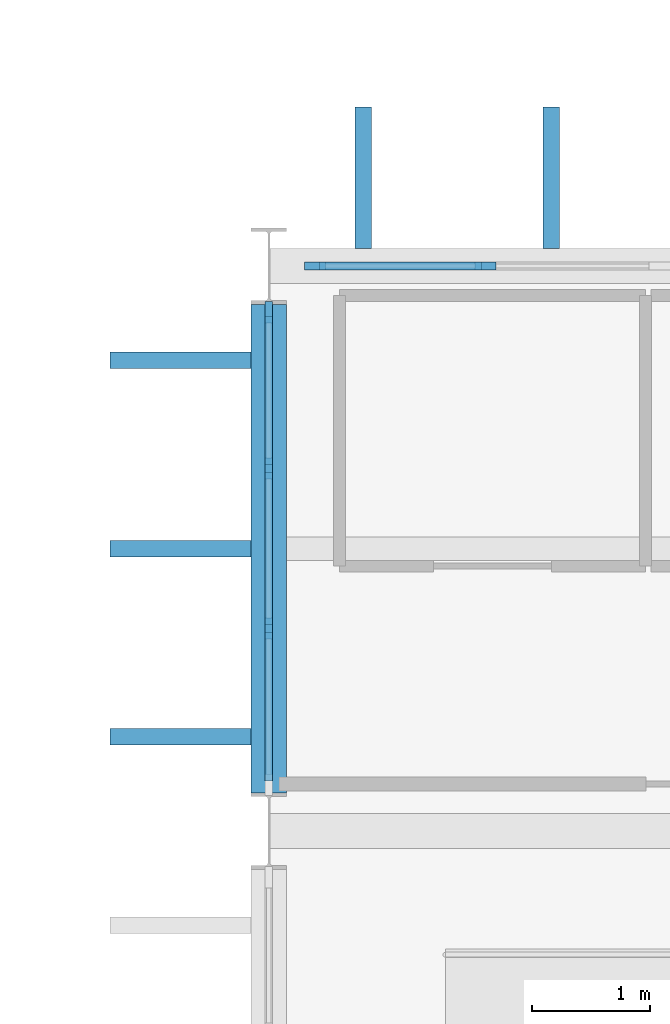
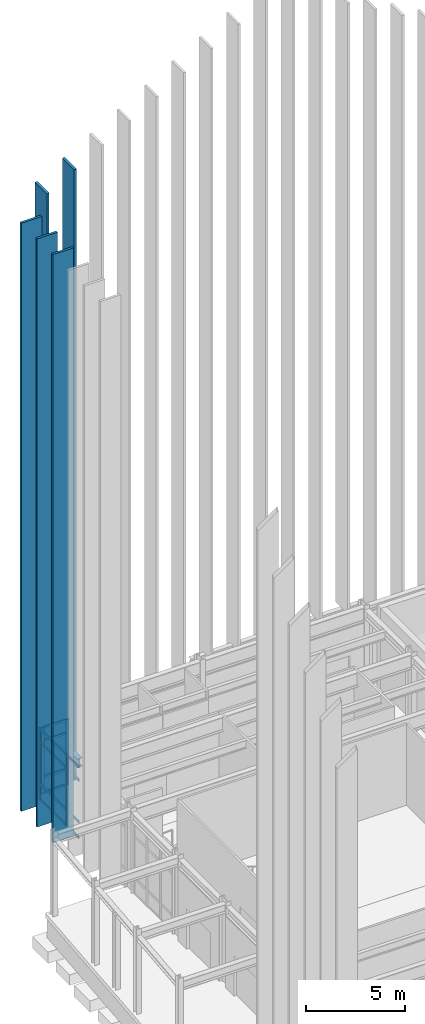
# One storey, part 48 of 109: 26 members, 1 beam, 2 elements without a shape of their own.
"""IFC4 building model written with IfcOpenShell, lengths in metres."""

from ifc_helpers import new_model, si_unit, direction, frame, origin, origin_2d, place, context, subcontext, project, spatial, rectangle, i_section, extrude, material, layer, layer_set, material_profile, profile_set, type_object, element, aggregate, save


model = new_model("IFC4")

# Units and contexts
model_context = context("Model", 3, precision=1e-05, world=origin(), true_north=direction((0.0, 1.0)))
body_context = subcontext(model_context, "Body", "Model", "MODEL_VIEW")
ifc_project = project(units=[si_unit("LENGTHUNIT", "METRE"), si_unit("AREAUNIT", "SQUARE_METRE"), si_unit("VOLUMEUNIT", "CUBIC_METRE"), si_unit("PLANEANGLEUNIT", "RADIAN"), si_unit("MASSUNIT", "GRAM", prefix="KILO")], contexts=[model_context])

# Site, building, storey
site_placement = place(None, origin())
site = spatial("IfcSite", under=ifc_project, at=site_placement, CompositionType="ELEMENT")
building_placement = place(site_placement, origin())
building = spatial("IfcBuilding", under=site, at=building_placement, Name="Nordkorset Police Headquarters", CompositionType="ELEMENT")
storey_placement = place(building_placement, origin())
storey = spatial("IfcBuildingStorey", under=building, at=storey_placement, Name="L00", CompositionType="ELEMENT", Elevation=0.0)

# Curtain wall, members
ifc_material_1 = material(Name="Aluminium alloy AW-6060", Category="aluminium")
ifc_layer_1 = layer(ifc_material_1, 0.179931640625, Name="Aluminium alloy AW-6060")
ifc_layer_set_1 = layer_set([ifc_layer_1], Name="Aluminium alloy AW-6060")
curtain_wall_type_1 = type_object("IfcCurtainWallType", Name="CW_Unit_408x444", PredefinedType="USERDEFINED", material=ifc_layer_set_1)
curtain_wall_1_placement = place(storey_placement, origin())
curtain_wall_1 = element("IfcCurtainWall", 1, at=curtain_wall_1_placement, inside=storey, type_object=curtain_wall_type_1, Name="Unitised Curtain Wall L00 V1W-6", ObjectType="UNITISED CURTAIN WALL", PredefinedType="USERDEFINED")
ifc_material_2 = material(Name="Aluminium alloy AW-6060", Category="aluminium")
ifc_material_profile_1 = material_profile(ifc_material_2, rectangle(XDim=0.06494140625, YDim=0.179931640625, at=origin_2d()), Name="ALU MULL 65x180")
ifc_profile_set_1 = profile_set([ifc_material_profile_1], Name="Aluminium alloy AW-6060")
member_type_1 = type_object("IfcMemberType", Name="CW_Mullion_65x180", PredefinedType="MULLION", material=ifc_profile_set_1)
member_1_placement = place(storey_placement, frame((0.0, 113.719970703125, 0.0), z_axis=(0.0, 0.0, 1.0), x_axis=(-1.0, 0.0, 0.0)))
member_1 = element("IfcMember", 2, at=member_1_placement, type_object=member_type_1, Name="CW-66 mullion 2", PredefinedType="MULLION", context=body_context, shape_type="SweptSolid", body=[
    extrude(rectangle(XDim=0.06494140625, YDim=0.179931640625, at=origin_2d()), origin(), (0.0, 0.0, 1.0), 4.43994140625),
])
member_2_placement = place(storey_placement, frame((0.0, 115.080078125, 0.0), z_axis=(0.0, 0.0, 1.0), x_axis=(-1.0, 0.0, 0.0)))
member_2 = element("IfcMember", 3, at=member_2_placement, type_object=member_type_1, Name="CW-66 mullion 3", PredefinedType="MULLION", context=body_context, shape_type="SweptSolid", body=[
    extrude(rectangle(XDim=0.06494140625, YDim=0.179931640625, at=origin_2d()), origin(), (0.0, 0.0, 1.0), 4.43994140625),
])
member_3_placement = place(storey_placement, frame((0.0, 116.407470703125, 0.0), z_axis=(0.0, 0.0, 1.0), x_axis=(-1.0, 0.0, 0.0)))
member_3 = element("IfcMember", 4, at=member_3_placement, type_object=member_type_1, Name="CW-66 mullion 4", PredefinedType="MULLION", context=body_context, shape_type="SweptSolid", body=[
    extrude(rectangle(XDim=0.06494140625, YDim=0.179931640625, at=origin_2d()), origin(), (0.0, 0.0, 1.0), 4.43994140625),
])

ifc_material_3 = material(Name="Aluminium alloy AW-6060", Category="aluminium")
ifc_layer_2 = layer(ifc_material_3, 0.179931640625, Name="Aluminium alloy AW-6060")
ifc_layer_set_2 = layer_set([ifc_layer_2], Name="Aluminium alloy AW-6060")
curtain_wall_type_2 = type_object("IfcCurtainWallType", Name="CW_Unit_888x408", PredefinedType="USERDEFINED", material=ifc_layer_set_2)
curtain_wall_2_placement = place(storey_placement, origin())
curtain_wall_2 = element("IfcCurtainWall", 5, at=curtain_wall_2_placement, inside=storey, type_object=curtain_wall_type_2, Name="Unitised Curtain Wall L00 V1N-0", ObjectType="UNITISED CURTAIN WALL", PredefinedType="USERDEFINED")
member_4_placement = place(storey_placement, frame((0.392578125, 116.800048828125, 0.0), z_axis=(0.0, 0.0, 1.0), x_axis=(0.0, 1.0, 0.0)))
member_4 = element("IfcMember", 6, at=member_4_placement, type_object=member_type_1, Name="CW-14 mullion 1", PredefinedType="MULLION", context=body_context, shape_type="SweptSolid", body=[
    extrude(rectangle(XDim=0.06494140625, YDim=0.179931640625, at=origin_2d()), origin(), (0.0, 0.0, 1.0), 4.080078125),
])
member_5_placement = place(storey_placement, frame((1.840087890625, 116.800048828125, 0.0), z_axis=(0.0, 0.0, 1.0), x_axis=(0.0, 1.0, 0.0)))
member_5 = element("IfcMember", 7, at=member_5_placement, type_object=member_type_1, Name="CW-14 mullion 2", PredefinedType="MULLION", context=body_context, shape_type="SweptSolid", body=[
    extrude(rectangle(XDim=0.06494140625, YDim=0.179931640625, at=origin_2d()), origin(), (0.0, 0.0, 1.0), 4.080078125),
])

# Member
ifc_material_4 = material(Name="Aluminium alloy AW-6060", Category="aluminium")
ifc_material_profile_2 = material_profile(ifc_material_4, rectangle(XDim=0.06494140625, YDim=0.139892578125, at=origin_2d()), Name="ALU TRAN 65x140")
ifc_profile_set_2 = profile_set([ifc_material_profile_2], Name="Aluminium alloy AW-6060")
member_type_2 = type_object("IfcMemberType", Name="CW_Transom_65x140", PredefinedType="USERDEFINED", material=ifc_profile_set_2)
member_6_placement = place(storey_placement, frame((0.0, 112.425048828125, 0.032470703125), z_axis=(0.0, 1.0, 0.0), x_axis=(-1.0, 0.0, 0.0)))
member_6 = element("IfcMember", 8, at=member_6_placement, type_object=member_type_2, Name="CW-66 transom 1.1", ObjectType="TRANSOM", PredefinedType="USERDEFINED", context=body_context, shape_type="SweptSolid", body=[
    extrude(rectangle(XDim=0.06494140625, YDim=0.139892578125, at=origin_2d()), origin(), (0.0, 0.0, 1.0), 1.262451171875),
])

member_7_placement = place(storey_placement, frame((0.0, 112.425048828125, 1.0), z_axis=(0.0, 1.0, 0.0), x_axis=(-1.0, 0.0, 0.0)))
member_7 = element("IfcMember", 9, at=member_7_placement, type_object=member_type_2, Name="CW-66 transom 1.2", ObjectType="TRANSOM", PredefinedType="USERDEFINED", context=body_context, shape_type="SweptSolid", body=[
    extrude(rectangle(XDim=0.06494140625, YDim=0.139892578125, at=origin_2d()), origin(), (0.0, 0.0, 1.0), 1.262451171875),
])

member_8_placement = place(storey_placement, frame((0.0, 112.425048828125, 3.590087890625), z_axis=(0.0, 1.0, 0.0), x_axis=(-1.0, 0.0, 0.0)))
member_8 = element("IfcMember", 10, at=member_8_placement, type_object=member_type_2, Name="CW-66 transom 1.3", ObjectType="TRANSOM", PredefinedType="USERDEFINED", context=body_context, shape_type="SweptSolid", body=[
    extrude(rectangle(XDim=0.06494140625, YDim=0.139892578125, at=origin_2d()), origin(), (0.0, 0.0, 1.0), 1.262451171875),
])

member_9_placement = place(storey_placement, frame((0.0, 112.425048828125, 4.407470703125), z_axis=(0.0, 1.0, 0.0), x_axis=(-1.0, 0.0, 0.0)))
member_9 = element("IfcMember", 11, at=member_9_placement, type_object=member_type_2, Name="CW-66 transom 1.4", ObjectType="TRANSOM", PredefinedType="USERDEFINED", context=body_context, shape_type="SweptSolid", body=[
    extrude(rectangle(XDim=0.06494140625, YDim=0.139892578125, at=origin_2d()), origin(), (0.0, 0.0, 1.0), 1.262451171875),
])

member_10_placement = place(storey_placement, frame((0.0, 113.75244140625, 0.032470703125), z_axis=(0.0, 1.0, 0.0), x_axis=(-1.0, 0.0, 0.0)))
member_10 = element("IfcMember", 12, at=member_10_placement, type_object=member_type_2, Name="CW-66 transom 2.1", ObjectType="TRANSOM", PredefinedType="USERDEFINED", context=body_context, shape_type="SweptSolid", body=[
    extrude(rectangle(XDim=0.06494140625, YDim=0.139892578125, at=origin_2d()), origin(), (0.0, 0.0, 1.0), 1.295166015625),
])

member_11_placement = place(storey_placement, frame((0.0, 113.75244140625, 1.0), z_axis=(0.0, 1.0, 0.0), x_axis=(-1.0, 0.0, 0.0)))
member_11 = element("IfcMember", 13, at=member_11_placement, type_object=member_type_2, Name="CW-66 transom 2.2", ObjectType="TRANSOM", PredefinedType="USERDEFINED", context=body_context, shape_type="SweptSolid", body=[
    extrude(rectangle(XDim=0.06494140625, YDim=0.139892578125, at=origin_2d()), origin(), (0.0, 0.0, 1.0), 1.295166015625),
])

member_12_placement = place(storey_placement, frame((0.0, 113.75244140625, 3.590087890625), z_axis=(0.0, 1.0, 0.0), x_axis=(-1.0, 0.0, 0.0)))
member_12 = element("IfcMember", 14, at=member_12_placement, type_object=member_type_2, Name="CW-66 transom 2.3", ObjectType="TRANSOM", PredefinedType="USERDEFINED", context=body_context, shape_type="SweptSolid", body=[
    extrude(rectangle(XDim=0.06494140625, YDim=0.139892578125, at=origin_2d()), origin(), (0.0, 0.0, 1.0), 1.295166015625),
])

member_13_placement = place(storey_placement, frame((0.0, 113.75244140625, 4.407470703125), z_axis=(0.0, 1.0, 0.0), x_axis=(-1.0, 0.0, 0.0)))
member_13 = element("IfcMember", 15, at=member_13_placement, type_object=member_type_2, Name="CW-66 transom 2.4", ObjectType="TRANSOM", PredefinedType="USERDEFINED", context=body_context, shape_type="SweptSolid", body=[
    extrude(rectangle(XDim=0.06494140625, YDim=0.139892578125, at=origin_2d()), origin(), (0.0, 0.0, 1.0), 1.295166015625),
])

member_14_placement = place(storey_placement, frame((0.0, 115.112548828125, 0.032470703125), z_axis=(0.0, 1.0, 0.0), x_axis=(-1.0, 0.0, 0.0)))
member_14 = element("IfcMember", 16, at=member_14_placement, type_object=member_type_2, Name="CW-66 transom 3.1", ObjectType="TRANSOM", PredefinedType="USERDEFINED", context=body_context, shape_type="SweptSolid", body=[
    extrude(rectangle(XDim=0.06494140625, YDim=0.139892578125, at=origin_2d()), origin(), (0.0, 0.0, 1.0), 1.262451171875),
])

member_15_placement = place(storey_placement, frame((0.0, 115.112548828125, 1.0), z_axis=(0.0, 1.0, 0.0), x_axis=(-1.0, 0.0, 0.0)))
member_15 = element("IfcMember", 17, at=member_15_placement, type_object=member_type_2, Name="CW-66 transom 3.2", ObjectType="TRANSOM", PredefinedType="USERDEFINED", context=body_context, shape_type="SweptSolid", body=[
    extrude(rectangle(XDim=0.06494140625, YDim=0.139892578125, at=origin_2d()), origin(), (0.0, 0.0, 1.0), 1.262451171875),
])

member_16_placement = place(storey_placement, frame((0.0, 115.112548828125, 3.590087890625), z_axis=(0.0, 1.0, 0.0), x_axis=(-1.0, 0.0, 0.0)))
member_16 = element("IfcMember", 18, at=member_16_placement, type_object=member_type_2, Name="CW-66 transom 3.3", ObjectType="TRANSOM", PredefinedType="USERDEFINED", context=body_context, shape_type="SweptSolid", body=[
    extrude(rectangle(XDim=0.06494140625, YDim=0.139892578125, at=origin_2d()), origin(), (0.0, 0.0, 1.0), 1.262451171875),
])

member_17_placement = place(storey_placement, frame((0.0, 115.112548828125, 4.407470703125), z_axis=(0.0, 1.0, 0.0), x_axis=(-1.0, 0.0, 0.0)))
member_17 = element("IfcMember", 19, at=member_17_placement, type_object=member_type_2, Name="CW-66 transom 3.4", ObjectType="TRANSOM", PredefinedType="USERDEFINED", context=body_context, shape_type="SweptSolid", body=[
    extrude(rectangle(XDim=0.06494140625, YDim=0.139892578125, at=origin_2d()), origin(), (0.0, 0.0, 1.0), 1.262451171875),
])

aggregate(curtain_wall_1, [member_1, member_2, member_3, member_6, member_7, member_8, member_9, member_10, member_11, member_12, member_13, member_14, member_15, member_16, member_17])

member_18_placement = place(storey_placement, frame((0.425048828125, 116.800048828125, 0.032470703125), z_axis=(1.0, 0.0, 0.0), x_axis=(0.0, 1.0, 0.0)))
member_18 = element("IfcMember", 20, at=member_18_placement, type_object=member_type_2, Name="CW-14 transom 1.1", ObjectType="TRANSOM", PredefinedType="USERDEFINED", context=body_context, shape_type="SweptSolid", body=[
    extrude(rectangle(XDim=0.06494140625, YDim=0.139892578125, at=origin_2d()), origin(), (0.0, 0.0, 1.0), 1.382568359375),
])

member_19_placement = place(storey_placement, frame((0.425048828125, 116.800048828125, 1.0), z_axis=(1.0, 0.0, 0.0), x_axis=(0.0, 1.0, 0.0)))
member_19 = element("IfcMember", 21, at=member_19_placement, type_object=member_type_2, Name="CW-14 transom 1.2", ObjectType="TRANSOM", PredefinedType="USERDEFINED", context=body_context, shape_type="SweptSolid", body=[
    extrude(rectangle(XDim=0.06494140625, YDim=0.139892578125, at=origin_2d()), origin(), (0.0, 0.0, 1.0), 1.382568359375),
])

member_20_placement = place(storey_placement, frame((0.425048828125, 116.800048828125, 3.22998046875), z_axis=(1.0, 0.0, 0.0), x_axis=(0.0, 1.0, 0.0)))
member_20 = element("IfcMember", 22, at=member_20_placement, type_object=member_type_2, Name="CW-14 transom 1.3", ObjectType="TRANSOM", PredefinedType="USERDEFINED", context=body_context, shape_type="SweptSolid", body=[
    extrude(rectangle(XDim=0.06494140625, YDim=0.139892578125, at=origin_2d()), origin(), (0.0, 0.0, 1.0), 1.382568359375),
])

member_21_placement = place(storey_placement, frame((0.425048828125, 116.800048828125, 4.047607421875), z_axis=(1.0, 0.0, 0.0), x_axis=(0.0, 1.0, 0.0)))
member_21 = element("IfcMember", 23, at=member_21_placement, type_object=member_type_2, Name="CW-14 transom 1.4", ObjectType="TRANSOM", PredefinedType="USERDEFINED", context=body_context, shape_type="SweptSolid", body=[
    extrude(rectangle(XDim=0.06494140625, YDim=0.139892578125, at=origin_2d()), origin(), (0.0, 0.0, 1.0), 1.382568359375),
])

aggregate(curtain_wall_2, [member_4, member_5, member_18, member_19, member_20, member_21])

# Beam
ifc_material_5 = material(Name="Steel S355J2", Category="steel")
ifc_material_profile_3 = material_profile(ifc_material_5, i_section(OverallWidth=0.300048828125, OverallDepth=0.5400390625, WebThickness=0.012451171875, FlangeThickness=0.02392578125, FilletRadius=0.027099609375, at=origin_2d()), Name="HEA 550")
ifc_profile_set_3 = profile_set([ifc_material_profile_3], Name="Steel S355J2")
beam_type = type_object("IfcBeamType", Name="Girder_HEA_550", PredefinedType="USERDEFINED", material=ifc_profile_set_3)
beam_placement = place(storey_placement, frame((0.0, 112.324951171875, 4.72998046875), z_axis=(0.0, 1.0, 0.0), x_axis=(-1.0, 0.0, 0.0)))
element("IfcBeam", 24, at=beam_placement, inside=storey, type_object=beam_type, Name="Girder V1 L00 GY-0-6", ObjectType="GIRDER", PredefinedType="USERDEFINED", context=body_context, shape_type="SweptSolid", body=[
    extrude(i_section(OverallWidth=0.300048828125, OverallDepth=0.5400390625, WebThickness=0.012451171875, FlangeThickness=0.02392578125, FilletRadius=0.027099609375, at=origin_2d()), origin(), (0.0, 0.0, 1.0), 4.150146484375),
])

# Members
ifc_material_6 = material(Name="Glulam GL30c", Category="wood")
ifc_material_profile_4 = material_profile(ifc_material_6, rectangle(XDim=0.139892578125, YDim=1.199951171875, at=origin_2d()), Name="GL30C FIN 140x1200")
ifc_profile_set_4 = profile_set([ifc_material_profile_4], Name="Glulam GL30c")
member_type_3 = type_object("IfcMemberType", Name="Member_GlulamFin_140x1200", PredefinedType="USERDEFINED", material=ifc_profile_set_4)
for number, where, z_axis, x_axis, name in (
    (25, (-0.75, 112.800048828125, 0.0), (0.0, 0.0, 1.0), (0.0, 1.0, 0.0), "Vertical Glulam Timber Fin West 019"),
    (26, (-0.75, 114.39990234375, 0.0), (0.0, 0.0, 1.0), (0.0, 1.0, 0.0), "Vertical Glulam Timber Fin West 020"),
    (27, (-0.75, 116.0, 0.0), (0.0, 0.0, 1.0), (0.0, 1.0, 0.0), "Vertical Glulam Timber Fin West 021"),
):
    element("IfcMember", number, at=place(storey_placement, frame(where, z_axis=z_axis, x_axis=x_axis)), inside=storey, type_object=member_type_3, Name=name, ObjectType="VERTICAL TIMBER FIN", PredefinedType="USERDEFINED", context=body_context, shape_type="SweptSolid", body=[
        extrude(rectangle(XDim=0.139892578125, YDim=1.199951171875, at=origin_2d()), origin(), (0.0, 0.0, 1.0), 36.409912109375),
    ])
member_22_placement = place(storey_placement, frame((0.800048828125, 117.550048828125, 0.0), z_axis=(0.0, 0.0, 1.0), x_axis=(1.0, 0.0, 0.0)))
element("IfcMember", 28, at=member_22_placement, inside=storey, type_object=member_type_3, Name="Vertical Glulam Gable Fin North 043", ObjectType="VERTICAL TIMBER FIN", PredefinedType="USERDEFINED", context=body_context, shape_type="SweptSolid", body=[
    extrude(rectangle(XDim=0.139892578125, YDim=1.199951171875, at=origin_2d()), origin(), (0.0, 0.0, 1.0), 36.884521484375),
])
member_23_placement = place(storey_placement, frame((2.39990234375, 117.550048828125, 0.0), z_axis=(0.0, 0.0, 1.0), x_axis=(1.0, 0.0, 0.0)))
element("IfcMember", 29, at=member_23_placement, inside=storey, type_object=member_type_3, Name="Vertical Glulam Gable Fin North 045", ObjectType="VERTICAL TIMBER FIN", PredefinedType="USERDEFINED", context=body_context, shape_type="SweptSolid", body=[
    extrude(rectangle(XDim=0.139892578125, YDim=1.199951171875, at=origin_2d()), origin(), (0.0, 0.0, 1.0), 37.8232421875),
])

save(model, "model.ifc")
